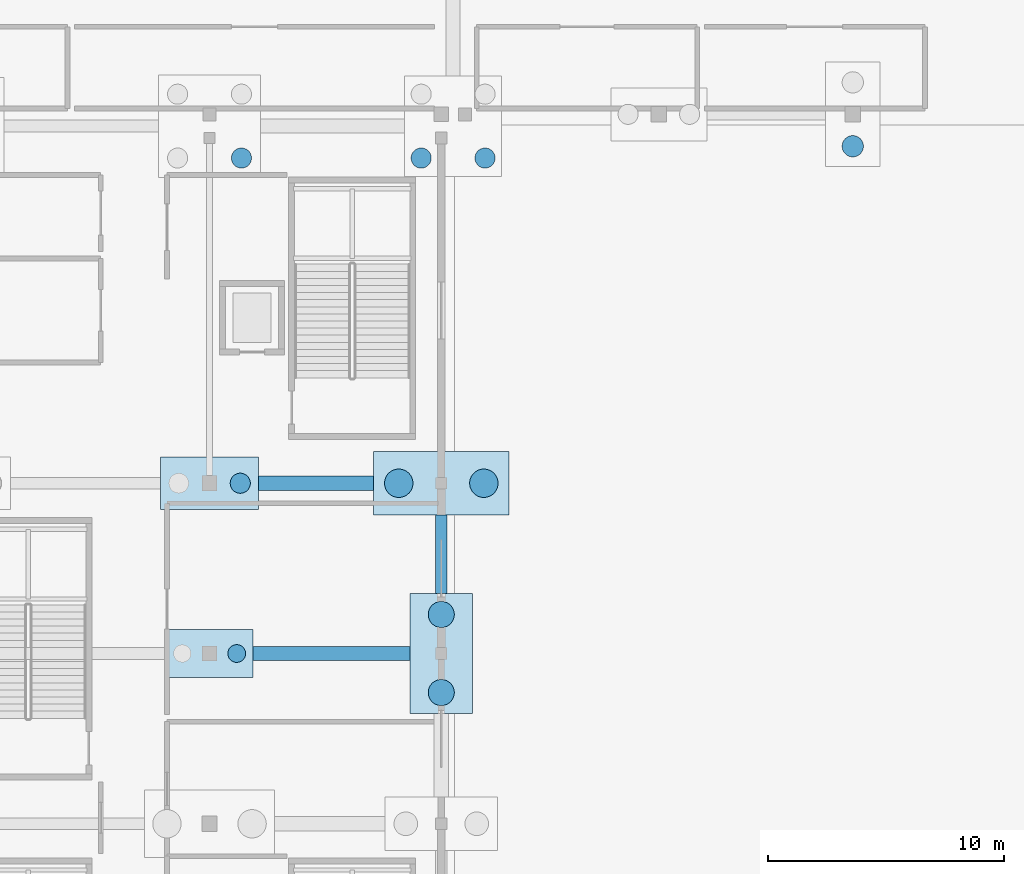
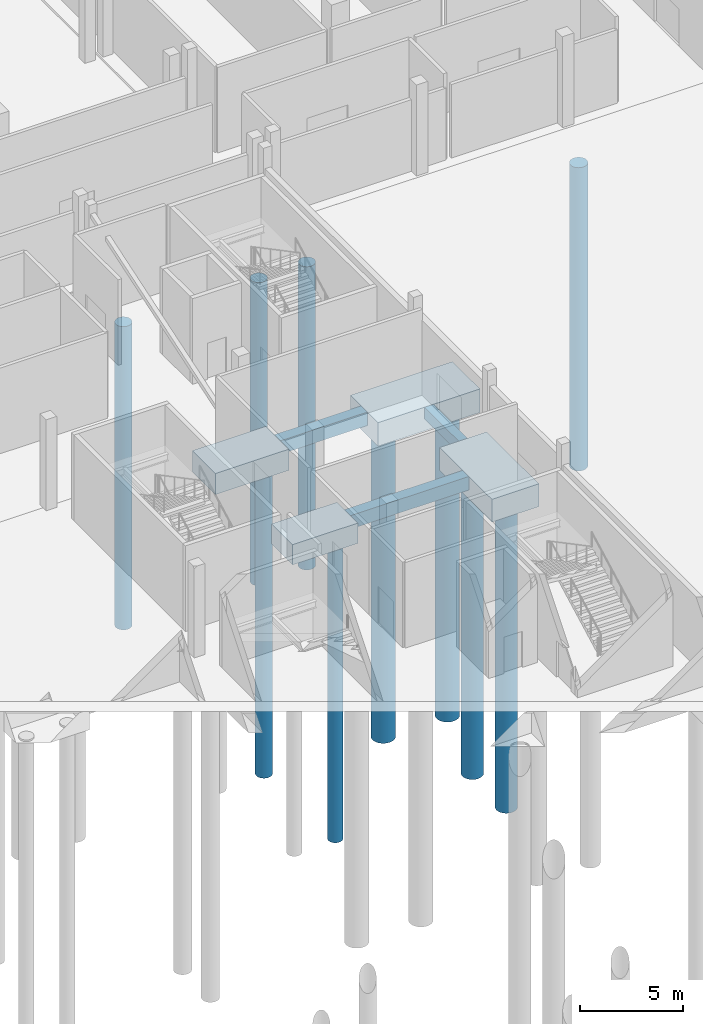
# One storey, part 11 of 89: 10 piles, 7 footings.
"""IFC4 building model written with IfcOpenShell, lengths in metres."""

import ifcopenshell
import ifcopenshell.guid

model = None  # the IFC model being written
_history = None  # IfcOwnerHistory: only IFC2X3 demands one
_inside = {}  # id of a spatial element -> (the spatial element, [elements in it])
_under = {}  # id of a project, library or spatial element -> (it, [spatial elements below it])
_declared = {}  # id of a project -> (the project, [libraries it declares])
_typed = {}  # id of a type object -> (the type object, [elements of that type])
_made_of = {}  # id of a material, layer set ... -> (it, [elements and type objects made of it])


def new_model(schema):
    """Start an empty IFC model of exactly this schema.

    Asked for "IFC4X3", IfcOpenShell would pick the latest addendum, in which some entities
    have other attributes; the version numbers below select the first issue.
    IFC2X3 requires an IfcOwnerHistory on every rooted entity: one is made here for all.
    """
    global model, _history
    if schema == "IFC4X3":
        model = ifcopenshell.file(schema_version=(4, 3, 0, 0))
    else:
        model = ifcopenshell.file(schema=schema)
    _inside.clear()
    _under.clear()
    _declared.clear()
    _typed.clear()
    _made_of.clear()
    _history = None
    if model.schema == "IFC2X3":
        org = make("IfcOrganization", Name="unknown")
        user = make(
            "IfcPersonAndOrganization",
            ThePerson=make("IfcPerson", FamilyName="unknown"),
            TheOrganization=org,
        )
        app = make(
            "IfcApplication",
            ApplicationDeveloper=org,
            Version="unknown",
            ApplicationFullName="unknown",
            ApplicationIdentifier="unknown",
        )
        _history = make(
            "IfcOwnerHistory",
            OwningUser=user,
            OwningApplication=app,
            ChangeAction="ADDED",
            CreationDate=0,
        )
    return model


def make(cls, **values):
    """One entity of the class cls with the attributes given. An attribute that is None is left unset."""
    return model.create_entity(
        cls, **{name: value for name, value in values.items() if value is not None}
    )


def rooted(cls, **values):
    """An entity with a GlobalId (a new one), such as an element, a storey or a relation."""
    return make(cls, GlobalId=ifcopenshell.guid.new(), OwnerHistory=_history, **values)


def si_unit(unit_type, name, prefix=None):
    """IfcSIUnit, for example si_unit("LENGTHUNIT", "METRE", prefix="MILLI")."""
    return make("IfcSIUnit", UnitType=unit_type, Prefix=prefix, Name=name)


def assignment(units):
    """IfcUnitAssignment: the units of a project."""
    return None if units is None else make("IfcUnitAssignment", Units=units)


def point(xyz):
    """IfcCartesianPoint."""
    return None if xyz is None else make("IfcCartesianPoint", Coordinates=xyz)


def direction(xyz):
    """IfcDirection."""
    return None if xyz is None else make("IfcDirection", DirectionRatios=xyz)


def frame(location, z_axis=None, x_axis=None):
    """IfcAxis2Placement3D, a coordinate frame: its origin and axes. An axis left out is left unset."""
    return make(
        "IfcAxis2Placement3D",
        Location=point(location),
        Axis=direction(z_axis),
        RefDirection=direction(x_axis),
    )


def frame_2d(location, x_axis=None):
    """IfcAxis2Placement2D, a coordinate frame in the plane: its origin and x axis."""
    return make(
        "IfcAxis2Placement2D", Location=point(location), RefDirection=direction(x_axis)
    )


def origin():
    """The frame at (0, 0, 0) with its axes left unset."""
    return frame((0.0, 0.0, 0.0))


def origin_2d():
    """The frame at (0, 0) in the plane with its x axis left unset."""
    return frame_2d((0.0, 0.0))


def place(relative_to, where):
    """IfcLocalPlacement: puts the frame where relative to a parent placement (None: the world)."""
    return make(
        "IfcLocalPlacement", PlacementRelTo=relative_to, RelativePlacement=where
    )


def context(
    kind, dimensions, precision=None, world=None, true_north=None, identifier=None
):
    """IfcGeometricRepresentationContext, for example the 3D "Model" context."""
    return make(
        "IfcGeometricRepresentationContext",
        ContextIdentifier=identifier,
        ContextType=kind,
        CoordinateSpaceDimension=dimensions,
        Precision=precision,
        WorldCoordinateSystem=world,
        TrueNorth=true_north,
    )


def subcontext(parent, identifier, kind, view, scale=None):
    """IfcGeometricRepresentationSubContext, for example "Body" below "Model"."""
    return make(
        "IfcGeometricRepresentationSubContext",
        ContextIdentifier=identifier,
        ContextType=kind,
        ParentContext=parent,
        TargetScale=scale,
        TargetView=view,
    )


def project(units=None, contexts=None):
    """IfcProject with its units and contexts."""
    return rooted(
        "IfcProject",
        Name="project",
        RepresentationContexts=contexts,
        UnitsInContext=assignment(units),
    )


def spatial(cls, under=None, at=None, **own):
    """A site, building, storey or space (cls), placed at a placement, below another one or the project."""
    s = rooted(cls, ObjectPlacement=at, **own)
    if under is not None:
        _under.setdefault(under.id(), (under, []))[1].append(s)
    return s


def profile(cls, at=None, kind="AREA", **sizes):
    """A parametric profile (cls). Its sizes go by their IFC names, for example OverallWidth=200.0."""
    return make(cls, ProfileType=kind, Position=at, **sizes)


def rectangle(**sizes):
    """IfcRectangleProfileDef."""
    return profile("IfcRectangleProfileDef", **sizes)


def circle(**sizes):
    """IfcCircleProfileDef."""
    return profile("IfcCircleProfileDef", **sizes)


def extrude(swept, where, along, depth):
    """IfcExtrudedAreaSolid: the profile swept, set in the frame where, extruded along a direction by depth."""
    return make(
        "IfcExtrudedAreaSolid",
        SweptArea=swept,
        Position=where,
        ExtrudedDirection=direction(along),
        Depth=depth,
    )


def shape(context_of_items, identifier, shape_type, items):
    """IfcShapeRepresentation: the items that make up one representation, for example the "Body"."""
    return make(
        "IfcShapeRepresentation",
        ContextOfItems=context_of_items,
        RepresentationIdentifier=identifier,
        RepresentationType=shape_type,
        Items=items,
    )


def material(Name=None, Category=None):
    """IfcMaterial."""
    return make("IfcMaterial", Name=Name, Category=Category)


def material_profile(
    of_material, cross_section, Name=None, Category=None, Priority=None
):
    """IfcMaterialProfile: a cross section and its material."""
    return make(
        "IfcMaterialProfile",
        Name=Name,
        Material=of_material,
        Profile=cross_section,
        Priority=Priority,
        Category=Category,
    )


def profile_set(profiles, Name=None, composite=None):
    """IfcMaterialProfileSet."""
    return make(
        "IfcMaterialProfileSet",
        Name=Name,
        MaterialProfiles=profiles,
        CompositeProfile=composite,
    )


def made_of(thing, what):
    """Note that an element or type object is made of a material, layer set ...; save() writes the relation."""
    if what is not None:
        _made_of.setdefault(what.id(), (what, []))[1].append(thing)
    return thing


def type_object(cls, material=None, **own):
    """A type object (cls), such as IfcWallType, which elements share."""
    return made_of(rooted(cls, **own), material)


def element(
    cls,
    number,
    at=None,
    inside=None,
    cuts=None,
    type_object=None,
    material=None,
    context=None,
    identifier="Body",
    shape_type=None,
    held_by="IfcProductDefinitionShape",
    body=None,
    shapes=None,
    **own,
):
    """One element of the class cls, such as IfcWall. Its Tag is "e" and its number.

    at: its placement. inside: the storey or other place that contains it. cuts: it is an
    opening in that element (IfcRelVoidsElement). A single representation is given by context,
    identifier, shape_type and body (its items); several are given by shapes. held_by: the class
    of the entity that holds the representations. save() writes the other relations.
    """
    e = rooted(cls, Tag="e%d" % number, ObjectPlacement=at, **own)
    if body is not None:
        shapes = [shape(context, identifier, shape_type, body)]
    if shapes is not None:
        e.Representation = make(held_by, Representations=shapes)
    if inside is not None:
        _inside.setdefault(inside.id(), (inside, []))[1].append(e)
    if cuts is not None:
        rooted(
            "IfcRelVoidsElement", RelatingBuildingElement=cuts, RelatedOpeningElement=e
        )
    if type_object is not None:
        _typed.setdefault(type_object.id(), (type_object, []))[1].append(e)
    return made_of(e, material)


def aggregate(whole, parts):
    """IfcRelAggregates: a whole, such as a stair, and the parts it consists of."""
    return rooted("IfcRelAggregates", RelatingObject=whole, RelatedObjects=parts)


def save(model, path):
    """Write the relations noted so far, then the file.

    IfcRelAggregates (storeys below a building ...), IfcRelContainedInSpatialStructure (elements
    in a storey), IfcRelDefinesByType, IfcRelAssociatesMaterial and IfcRelDeclares: one each for
    every whole, place, type object, material and project.
    """
    for whole, parts in _under.values():
        aggregate(whole, parts)
    for where, things in _inside.values():
        rooted(
            "IfcRelContainedInSpatialStructure",
            RelatedElements=things,
            RelatingStructure=where,
        )
    for kind, things in _typed.values():
        rooted("IfcRelDefinesByType", RelatedObjects=things, RelatingType=kind)
    for what, things in _made_of.values():
        rooted("IfcRelAssociatesMaterial", RelatedObjects=things, RelatingMaterial=what)
    for by, libraries in _declared.values():
        rooted("IfcRelDeclares", RelatingContext=by, RelatedDefinitions=libraries)
    model.write(path)


model = new_model("IFC4")

# Units and contexts
model_context = context("Model", 3, precision=1e-05, world=origin(), true_north=direction((0.0, 1.0)))
body_context = subcontext(model_context, "Body", "Model", "MODEL_VIEW")
ifc_project = project(units=[si_unit("LENGTHUNIT", "METRE"), si_unit("AREAUNIT", "SQUARE_METRE"), si_unit("VOLUMEUNIT", "CUBIC_METRE"), si_unit("PLANEANGLEUNIT", "RADIAN"), si_unit("MASSUNIT", "GRAM", prefix="KILO")], contexts=[model_context])

# Site, building, storey
site_placement = place(None, origin())
site = spatial("IfcSite", under=ifc_project, at=site_placement, CompositionType="ELEMENT")
building_placement = place(site_placement, origin())
building = spatial("IfcBuilding", under=site, at=building_placement, Name="Koshinbarg Plaza Stadium", CompositionType="ELEMENT")
storey_placement = place(building_placement, origin())
storey = spatial("IfcBuildingStorey", under=building, at=storey_placement, Name="L00", CompositionType="ELEMENT", Elevation=0.0)

# Footings
ifc_material = material(Name="Concrete C35/45", Category="concrete")
ifc_material_profile_1 = material_profile(ifc_material, rectangle(XDim=0.5, YDim=0.699951171875, at=origin_2d()), Name="GB 500x700")
ifc_profile_set_1 = profile_set([ifc_material_profile_1], Name="Concrete C35/45")
footing_type_1 = type_object("IfcFootingType", Name="FT-GB-01", PredefinedType="FOOTING_BEAM", material=ifc_profile_set_1)
footing_1_placement = place(storey_placement, frame((218.39990234375, 107.239990234375, -0.800048828125), z_axis=(0.0, 1.0, 0.0), x_axis=(-1.0, 0.0, 0.0)))
element("IfcFooting", 1, at=footing_1_placement, inside=storey, type_object=footing_type_1, Name="Ground footing beam GB-Y-263", PredefinedType="FOOTING_BEAM", context=body_context, shape_type="SweptSolid", body=[
    extrude(rectangle(XDim=0.5, YDim=0.699951171875, at=origin_2d()), origin(), (0.0, 0.0, 1.0), 3.320068359375),
])
ifc_material_profile_2 = material_profile(ifc_material, rectangle(XDim=0.60009765625, YDim=0.800048828125, at=origin_2d()), Name="GB 600x800")
ifc_profile_set_2 = profile_set([ifc_material_profile_2], Name="Concrete C35/45")
footing_type_2 = type_object("IfcFootingType", Name="FT-GB-02", PredefinedType="FOOTING_BEAM", material=ifc_profile_set_2)
footing_2_placement = place(storey_placement, frame((210.429931640625, 104.699951171875, -0.85009765625), z_axis=(1.0, 0.0, 0.0), x_axis=(0.0, 1.0, 0.0)))
element("IfcFooting", 2, at=footing_2_placement, inside=storey, type_object=footing_type_2, Name="Ground footing beam GB-X-134", PredefinedType="FOOTING_BEAM", context=body_context, shape_type="SweptSolid", body=[
    extrude(rectangle(XDim=0.60009765625, YDim=0.800048828125, at=origin_2d()), origin(), (0.0, 0.0, 1.0), 6.650146484375),
])
footing_3_placement = place(storey_placement, frame((210.669921875, 111.89990234375, -0.85009765625), z_axis=(1.0, 0.0, 0.0), x_axis=(0.0, 1.0, 0.0)))
element("IfcFooting", 3, at=footing_3_placement, inside=storey, type_object=footing_type_2, Name="Ground footing beam GB-X-144", PredefinedType="FOOTING_BEAM", context=body_context, shape_type="SweptSolid", body=[
    extrude(rectangle(XDim=0.60009765625, YDim=0.800048828125, at=origin_2d()), origin(), (0.0, 0.0, 1.0), 4.8701171875),
])
footing_type_3 = type_object("IfcFootingType", Name="FT-PC-264x508x135", PredefinedType="PILE_CAP", material=ifc_material)
footing_4_placement = place(storey_placement, frame((218.39990234375, 104.699951171875, -1.800048828125), z_axis=(0.0, 0.0, 1.0), x_axis=(1.0, 0.0, 0.0)))
element("IfcFooting", 4, at=footing_4_placement, inside=storey, type_object=footing_type_3, Name="Bored pile cap CAP-209", PredefinedType="PILE_CAP", context=body_context, shape_type="SweptSolid", body=[
    extrude(rectangle(XDim=2.639892578125, YDim=5.080078125, at=origin_2d()), origin(), (0.0, 0.0, 1.0), 1.35009765625),
])
footing_type_4 = type_object("IfcFootingType", Name="FT-PC-366x204x120", PredefinedType="PILE_CAP", material=ifc_material)
footing_5_placement = place(storey_placement, frame((208.60009765625, 104.699951171875, -1.64990234375), z_axis=(0.0, 0.0, 1.0), x_axis=(1.0, 0.0, 0.0)))
element("IfcFooting", 5, at=footing_5_placement, inside=storey, type_object=footing_type_4, Name="Bored pile cap CAP-193", PredefinedType="PILE_CAP", context=body_context, shape_type="SweptSolid", body=[
    extrude(rectangle(XDim=3.659912109375, YDim=2.0400390625, at=origin_2d()), origin(), (0.0, 0.0, 1.0), 1.199951171875),
])
footing_type_5 = type_object("IfcFootingType", Name="FT-PC-414x224x125", PredefinedType="PILE_CAP", material=ifc_material)
footing_6_placement = place(storey_placement, frame((208.60009765625, 111.89990234375, -1.699951171875), z_axis=(0.0, 0.0, 1.0), x_axis=(1.0, 0.0, 0.0)))
element("IfcFooting", 6, at=footing_6_placement, inside=storey, type_object=footing_type_5, Name="Bored pile cap CAP-194", PredefinedType="PILE_CAP", context=body_context, shape_type="SweptSolid", body=[
    extrude(rectangle(XDim=4.139892578125, YDim=2.239990234375, at=origin_2d()), origin(), (0.0, 0.0, 1.0), 1.25),
])
footing_type_6 = type_object("IfcFootingType", Name="FT-PC-572x268x140", PredefinedType="PILE_CAP", material=ifc_material)
footing_7_placement = place(storey_placement, frame((218.39990234375, 111.89990234375, -1.849853515625), z_axis=(0.0, 0.0, 1.0), x_axis=(1.0, 0.0, 0.0)))
element("IfcFooting", 7, at=footing_7_placement, inside=storey, type_object=footing_type_6, Name="Bored pile cap CAP-210", PredefinedType="PILE_CAP", context=body_context, shape_type="SweptSolid", body=[
    extrude(rectangle(XDim=5.719970703125, YDim=2.679931640625, at=origin_2d()), origin(), (0.0, 0.0, 1.0), 1.39990234375),
])

# Piles
ifc_material_profile_3 = material_profile(ifc_material, circle(Radius=0.550048828125, at=origin_2d()), Name="PILE D1100")
ifc_profile_set_3 = profile_set([ifc_material_profile_3], Name="Concrete C35/45")
pile_type_1 = type_object("IfcPileType", Name="PL-D1100", PredefinedType="BORED", material=ifc_profile_set_3)
for number, where, z_axis, x_axis, name in (
    (8, (218.39990234375, 103.050048828125, -1.699951171875), (0.0, 0.0, -1.0), (1.0, 0.0, 0.0), "Bored pile CAP-209-1"),
    (9, (218.39990234375, 106.35009765625, -1.699951171875), (0.0, 0.0, -1.0), (1.0, 0.0, 0.0), "Bored pile CAP-209-2"),
):
    element("IfcPile", number, at=place(storey_placement, frame(where, z_axis=z_axis, x_axis=x_axis)), inside=storey, type_object=pile_type_1, Name=name, PredefinedType="BORED", context=body_context, shape_type="SweptSolid", body=[
        extrude(circle(Radius=0.550048828125, at=origin_2d()), origin(), (0.0, 0.0, 1.0), 18.0),
    ])
ifc_material_profile_4 = material_profile(ifc_material, circle(Radius=0.60009765625, at=origin_2d()), Name="PILE D1200")
ifc_profile_set_4 = profile_set([ifc_material_profile_4], Name="Concrete C35/45")
pile_type_2 = type_object("IfcPileType", Name="PL-D1200", PredefinedType="BORED", material=ifc_profile_set_4)
for number, where, z_axis, x_axis, name in (
    (10, (216.60009765625, 111.89990234375, -1.75), (0.0, 0.0, -1.0), (1.0, 0.0, 0.0), "Bored pile CAP-210-1"),
    (11, (220.199951171875, 111.89990234375, -1.75), (0.0, 0.0, -1.0), (1.0, 0.0, 0.0), "Bored pile CAP-210-2"),
):
    element("IfcPile", number, at=place(storey_placement, frame(where, z_axis=z_axis, x_axis=x_axis)), inside=storey, type_object=pile_type_2, Name=name, PredefinedType="BORED", context=body_context, shape_type="SweptSolid", body=[
        extrude(circle(Radius=0.60009765625, at=origin_2d()), origin(), (0.0, 0.0, 1.0), 18.5),
    ])
ifc_material_profile_5 = material_profile(ifc_material, circle(Radius=0.375, at=origin_2d()), Name="PILE D750")
ifc_profile_set_5 = profile_set([ifc_material_profile_5], Name="Concrete C35/45")
pile_type_3 = type_object("IfcPileType", Name="PL-D750", PredefinedType="BORED", material=ifc_profile_set_5)
pile_1_placement = place(storey_placement, frame((209.75, 104.699951171875, -1.550048828125), z_axis=(0.0, 0.0, -1.0), x_axis=(1.0, 0.0, 0.0)))
element("IfcPile", 12, at=pile_1_placement, inside=storey, type_object=pile_type_3, Name="Bored pile CAP-193-2", PredefinedType="BORED", context=body_context, shape_type="SweptSolid", body=[
    extrude(circle(Radius=0.375, at=origin_2d()), origin(), (0.0, 0.0, 1.0), 18.0),
])
ifc_material_profile_6 = material_profile(ifc_material, circle(Radius=0.425048828125, at=origin_2d()), Name="PILE D850")
ifc_profile_set_6 = profile_set([ifc_material_profile_6], Name="Concrete C35/45")
pile_type_4 = type_object("IfcPileType", Name="PL-D850", PredefinedType="BORED", material=ifc_profile_set_6)
pile_2_placement = place(storey_placement, frame((209.89990234375, 111.89990234375, -1.60009765625), z_axis=(0.0, 0.0, -1.0), x_axis=(1.0, 0.0, 0.0)))
element("IfcPile", 13, at=pile_2_placement, inside=storey, type_object=pile_type_4, Name="Bored pile CAP-194-2", PredefinedType="BORED", context=body_context, shape_type="SweptSolid", body=[
    extrude(circle(Radius=0.425048828125, at=origin_2d()), origin(), (0.0, 0.0, 1.0), 18.5),
])
for number, where, z_axis, x_axis, name in (
    (14, (209.949951171875, 125.64990234375, -1.64990234375), (0.0, 0.0, -1.0), (1.0, 0.0, 0.0), "Bored pile CAP-195-2"),
    (15, (217.550048828125, 125.64990234375, -1.699951171875), (0.0, 0.0, -1.0), (1.0, 0.0, 0.0), "Bored pile CAP-211-1"),
    (16, (220.25, 125.64990234375, -1.699951171875), (0.0, 0.0, -1.0), (1.0, 0.0, 0.0), "Bored pile CAP-211-2"),
):
    element("IfcPile", number, at=place(storey_placement, frame(where, z_axis=z_axis, x_axis=x_axis)), inside=storey, type_object=pile_type_4, Name=name, PredefinedType="BORED", context=body_context, shape_type="SweptSolid", body=[
        extrude(circle(Radius=0.425048828125, at=origin_2d()), origin(), (0.0, 0.0, 1.0), 18.0),
    ])
ifc_material_profile_7 = material_profile(ifc_material, circle(Radius=0.449951171875, at=origin_2d()), Name="PILE D900")
ifc_profile_set_7 = profile_set([ifc_material_profile_7], Name="Concrete C35/45")
pile_type_5 = type_object("IfcPileType", Name="PL-D900", PredefinedType="BORED", material=ifc_profile_set_7)
pile_3_placement = place(storey_placement, frame((235.800048828125, 126.14990234375, -1.550048828125), z_axis=(0.0, 0.0, -1.0), x_axis=(1.0, 0.0, 0.0)))
element("IfcPile", 17, at=pile_3_placement, inside=storey, type_object=pile_type_5, Name="Bored pile CAP-225-1", PredefinedType="BORED", context=body_context, shape_type="SweptSolid", body=[
    extrude(circle(Radius=0.449951171875, at=origin_2d()), origin(), (0.0, 0.0, 1.0), 18.0),
])

save(model, "model.ifc")
